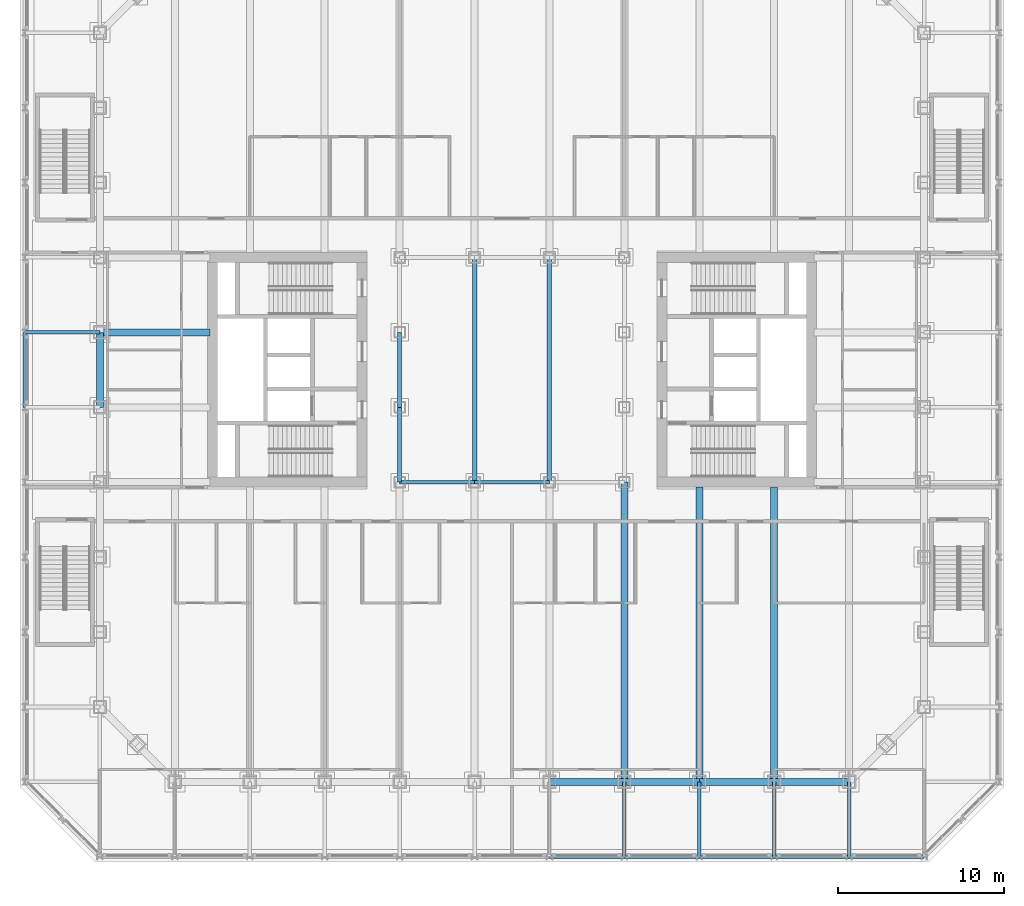
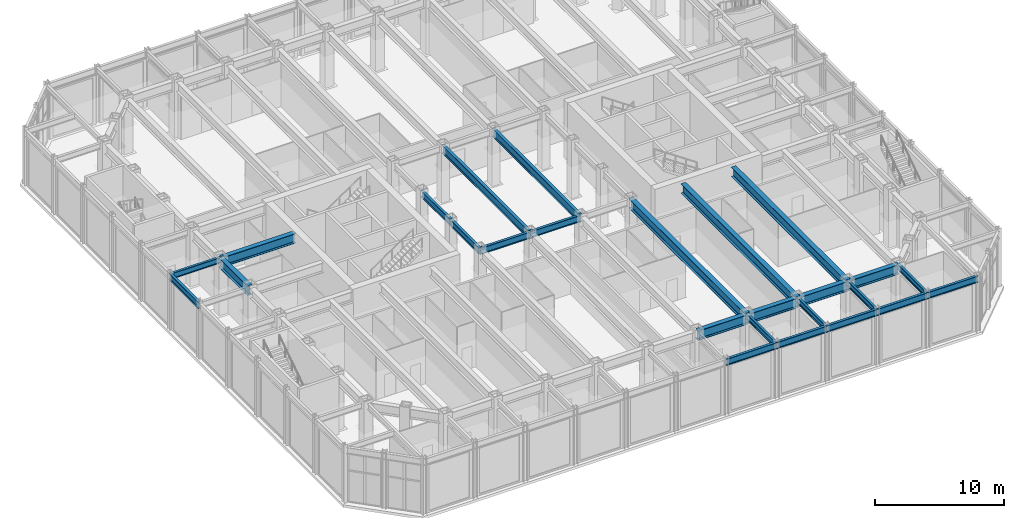
# One storey, part 5 of 19: 26 beams.
"""IFC4 building model written with IfcOpenShell, lengths in metres."""

from ifc_helpers import new_model, si_unit, direction, frame, origin, origin_2d, place, context, subcontext, project, spatial, i_section, extrude, material, material_profile, profile_set, type_object, element, save


model = new_model("IFC4")

# Units and contexts
model_context = context("Model", 3, precision=1e-05, world=origin(), true_north=direction((0.0, 1.0)))
body_context = subcontext(model_context, "Body", "Model", "MODEL_VIEW")
ifc_project = project(units=[si_unit("LENGTHUNIT", "METRE"), si_unit("AREAUNIT", "SQUARE_METRE"), si_unit("VOLUMEUNIT", "CUBIC_METRE"), si_unit("PLANEANGLEUNIT", "RADIAN"), si_unit("MASSUNIT", "GRAM", prefix="KILO")], contexts=[model_context])

# Site, building, storey
site_placement = place(None, origin())
site = spatial("IfcSite", under=ifc_project, at=site_placement, CompositionType="ELEMENT")
building_placement = place(site_placement, origin())
building = spatial("IfcBuilding", under=site, at=building_placement, Name="Msasa Ring Tower", CompositionType="ELEMENT")
storey_placement = place(building_placement, frame((0.0, 0.0, 16.0)))
storey = spatial("IfcBuildingStorey", under=building, at=storey_placement, Name="L03", CompositionType="ELEMENT", Elevation=16.0)

# Beams
ifc_material_1 = material(Name="Steel S355", Category="steel")
ifc_material_profile_1 = material_profile(ifc_material_1, i_section(OverallWidth=0.41845703125, OverallDepth=0.911865234375, WebThickness=0.019287109375, FlangeThickness=0.031982421875, FilletRadius=0.024169921875, at=origin_2d()), Name="UB 914x419x343")
ifc_profile_set_1 = profile_set([ifc_material_profile_1], Name="Steel S355")
beam_type_1 = type_object("IfcBeamType", Name="FB1 UB 914x419x343", PredefinedType="BEAM", material=ifc_profile_set_1)
beam_1_placement = place(storey_placement, frame((6.75, -24.75, 4.794189453125), z_axis=(0.0, 1.0, 0.0), x_axis=(-1.0, 0.0, 0.0)))
element("IfcBeam", 1, at=beam_1_placement, inside=storey, type_object=beam_type_1, Name="Floor beam S+6.75 under L04", PredefinedType="BEAM", context=body_context, shape_type="SweptSolid", body=[
    extrude(i_section(OverallWidth=0.41845703125, OverallDepth=0.911865234375, WebThickness=0.019287109375, FlangeThickness=0.031982421875, FilletRadius=0.024169921875, at=origin_2d()), origin(), (0.0, 0.0, 1.0), 18.0),
])
for number, where, z_axis, x_axis, name in (
    (2, (11.25, -24.75, 4.794189453125), (0.0, 1.0, 0.0), (-1.0, 0.0, 0.0), "Floor beam S+11.25 under L04"),
    (3, (15.75, -24.75, 4.794189453125), (0.0, 1.0, 0.0), (-1.0, 0.0, 0.0), "Floor beam S+15.75 under L04"),
):
    element("IfcBeam", number, at=place(storey_placement, frame(where, z_axis=z_axis, x_axis=x_axis)), inside=storey, type_object=beam_type_1, Name=name, PredefinedType="BEAM", context=body_context, shape_type="SweptSolid", body=[
        extrude(i_section(OverallWidth=0.41845703125, OverallDepth=0.911865234375, WebThickness=0.019287109375, FlangeThickness=0.031982421875, FilletRadius=0.024169921875, at=origin_2d()), origin(), (0.0, 0.0, 1.0), 17.699951171875),
    ])
ifc_material_2 = material(Name="Steel S355", Category="steel")
ifc_material_profile_2 = material_profile(ifc_material_2, i_section(OverallWidth=0.42041015625, OverallDepth=0.9208984375, WebThickness=0.021484375, FlangeThickness=0.03662109375, FilletRadius=0.024169921875, at=origin_2d()), Name="UB 914x419x388")
ifc_profile_set_2 = profile_set([ifc_material_profile_2], Name="Steel S355")
beam_type_2 = type_object("IfcBeamType", Name="FB2 UB 914x419x388", PredefinedType="BEAM", material=ifc_profile_set_2)
beam_2_placement = place(storey_placement, frame((-24.75, 2.25, 4.78955078125), z_axis=(1.0, 0.0, 0.0), x_axis=(0.0, 1.0, 0.0)))
element("IfcBeam", 4, at=beam_2_placement, inside=storey, type_object=beam_type_2, Name="Floor beam W +2.25 under L04", PredefinedType="BEAM", context=body_context, shape_type="SweptSolid", body=[
    extrude(i_section(OverallWidth=0.42041015625, OverallDepth=0.9208984375, WebThickness=0.021484375, FlangeThickness=0.03662109375, FilletRadius=0.024169921875, at=origin_2d()), origin(), (0.0, 0.0, 1.0), 6.60009765625),
])
ifc_material_3 = material(Name="Steel S355", Category="steel")
ifc_material_profile_3 = material_profile(ifc_material_3, i_section(OverallWidth=0.2119140625, OverallDepth=0.54443359375, WebThickness=0.0126953125, FlangeThickness=0.021240234375, FilletRadius=0.0126953125, at=origin_2d()), Name="UB 533x210x122")
ifc_profile_set_3 = profile_set([ifc_material_profile_3], Name="Steel S355")
beam_type_3 = type_object("IfcBeamType", Name="PB1 UB 533x210x122", PredefinedType="BEAM", material=ifc_profile_set_3)
for number, where, z_axis, x_axis, name in (
    (5, (-29.25, 2.25, 4.977783203125), (1.0, 0.0, 0.0), (0.0, 1.0, 0.0), "Podium beam W+2.25 under L04"),
    (6, (6.75, -29.25, 4.977783203125), (0.0, 1.0, 0.0), (-1.0, 0.0, 0.0), "Podium beam S+6.75 under L04"),
    (7, (11.25, -29.25, 4.977783203125), (0.0, 1.0, 0.0), (-1.0, 0.0, 0.0), "Podium beam S+11.25 under L04"),
    (8, (15.75, -29.25, 4.977783203125), (0.0, 1.0, 0.0), (-1.0, 0.0, 0.0), "Podium beam S+15.75 under L04"),
    (9, (20.25, -29.25, 4.977783203125), (0.0, 1.0, 0.0), (-1.0, 0.0, 0.0), "Podium beam S+20.25 under L04"),
):
    element("IfcBeam", number, at=place(storey_placement, frame(where, z_axis=z_axis, x_axis=x_axis)), inside=storey, type_object=beam_type_3, Name=name, PredefinedType="BEAM", context=body_context, shape_type="SweptSolid", body=[
        extrude(i_section(OverallWidth=0.2119140625, OverallDepth=0.54443359375, WebThickness=0.0126953125, FlangeThickness=0.021240234375, FilletRadius=0.0126953125, at=origin_2d()), origin(), (0.0, 0.0, 1.0), 4.5),
    ])
ifc_material_4 = material(Name="Steel S355", Category="steel")
ifc_material_profile_4 = material_profile(ifc_material_4, i_section(OverallWidth=0.230224609375, OverallDepth=0.6171875, WebThickness=0.01318359375, FlangeThickness=0.022216796875, FilletRadius=0.0126953125, at=origin_2d()), Name="UB 610x229x140")
ifc_profile_set_4 = profile_set([ifc_material_profile_4], Name="Steel S355")
beam_type_4 = type_object("IfcBeamType", Name="RB1 UB 610x229x140", PredefinedType="BEAM", material=ifc_profile_set_4)
for number, where, z_axis, x_axis, name in (
    (10, (-6.75, -2.25, 4.94140625), (0.0, -1.0, 0.0), (1.0, 0.0, 0.0), "Inner ring beam IR-6.75-2.25 under L04"),
    (11, (-6.75, -6.75, 4.94140625), (1.0, 0.0, 0.0), (0.0, 1.0, 0.0), "Inner ring beam IR-6.75-6.75 under L04"),
    (12, (-2.25, -6.75, 4.94140625), (1.0, 0.0, 0.0), (0.0, 1.0, 0.0), "Inner ring beam IR-2.25-6.75 under L04"),
    (13, (-6.75, 2.25, 4.94140625), (0.0, -1.0, 0.0), (1.0, 0.0, 0.0), "Inner ring beam IR-6.75+2.25 under L04"),
):
    element("IfcBeam", number, at=place(storey_placement, frame(where, z_axis=z_axis, x_axis=x_axis)), inside=storey, type_object=beam_type_4, Name=name, PredefinedType="BEAM", context=body_context, shape_type="SweptSolid", body=[
        extrude(i_section(OverallWidth=0.230224609375, OverallDepth=0.6171875, WebThickness=0.01318359375, FlangeThickness=0.022216796875, FilletRadius=0.0126953125, at=origin_2d()), origin(), (0.0, 0.0, 1.0), 4.5),
    ])
ifc_material_5 = material(Name="Steel S355", Category="steel")
ifc_material_profile_5 = material_profile(ifc_material_5, i_section(OverallWidth=0.42041015625, OverallDepth=0.9208984375, WebThickness=0.021484375, FlangeThickness=0.03662109375, FilletRadius=0.024169921875, at=origin_2d()), Name="UB 914x419x388")
ifc_profile_set_5 = profile_set([ifc_material_profile_5], Name="Steel S355")
beam_type_5 = type_object("IfcBeamType", Name="SB1 UB 914x419x388", PredefinedType="SPANDREL", material=ifc_profile_set_5)
for number, where, z_axis, x_axis, name in (
    (14, (2.25, -24.75, 4.78955078125), (1.0, 0.0, 0.0), (0.0, 1.0, 0.0), "Spandrel S+2.25 to S+6.75 under L04"),
    (15, (6.75, -24.75, 4.78955078125), (1.0, 0.0, 0.0), (0.0, 1.0, 0.0), "Spandrel S+6.75 to S+11.25 under L04"),
    (16, (11.25, -24.75, 4.78955078125), (1.0, 0.0, 0.0), (0.0, 1.0, 0.0), "Spandrel S+11.25 to S+15.75 under L04"),
    (17, (15.75, -24.75, 4.78955078125), (1.0, 0.0, 0.0), (0.0, 1.0, 0.0), "Spandrel S+15.75 to S+20.25 under L04"),
    (18, (-24.75, 2.25, 4.78955078125), (0.0, -1.0, 0.0), (1.0, 0.0, 0.0), "Spandrel W+2.25 to W-2.25 under L04"),
):
    element("IfcBeam", number, at=place(storey_placement, frame(where, z_axis=z_axis, x_axis=x_axis)), inside=storey, type_object=beam_type_5, Name=name, PredefinedType="SPANDREL", context=body_context, shape_type="SweptSolid", body=[
        extrude(i_section(OverallWidth=0.42041015625, OverallDepth=0.9208984375, WebThickness=0.021484375, FlangeThickness=0.03662109375, FilletRadius=0.024169921875, at=origin_2d()), origin(), (0.0, 0.0, 1.0), 4.5),
    ])
ifc_material_6 = material(Name="Steel S355", Category="steel")
ifc_material_profile_6 = material_profile(ifc_material_6, i_section(OverallWidth=0.230224609375, OverallDepth=0.6171875, WebThickness=0.01318359375, FlangeThickness=0.022216796875, FilletRadius=0.0126953125, at=origin_2d()), Name="UB 610x229x140")
ifc_profile_set_6 = profile_set([ifc_material_profile_6], Name="Steel S355")
beam_type_6 = type_object("IfcBeamType", Name="SB2 UB 610x229x140", PredefinedType="SPANDREL", material=ifc_profile_set_6)
for number, where, z_axis, x_axis, name in (
    (19, (2.25, -29.25, 4.94140625), (1.0, 0.0, 0.0), (0.0, 1.0, 0.0), "Podium spandrel S+2.25 under L04"),
    (20, (6.75, -29.25, 4.94140625), (1.0, 0.0, 0.0), (0.0, 1.0, 0.0), "Podium spandrel S+6.75 under L04"),
    (21, (11.25, -29.25, 4.94140625), (1.0, 0.0, 0.0), (0.0, 1.0, 0.0), "Podium spandrel S+11.25 under L04"),
    (22, (15.75, -29.25, 4.94140625), (1.0, 0.0, 0.0), (0.0, 1.0, 0.0), "Podium spandrel S+15.75 under L04"),
    (23, (20.25, -29.25, 4.94140625), (1.0, 0.0, 0.0), (0.0, 1.0, 0.0), "Podium spandrel S+20.25 under L04"),
    (24, (-29.25, 2.25, 4.94140625), (0.0, -1.0, 0.0), (1.0, 0.0, 0.0), "Podium spandrel W+2.25 under L04"),
):
    element("IfcBeam", number, at=place(storey_placement, frame(where, z_axis=z_axis, x_axis=x_axis)), inside=storey, type_object=beam_type_6, Name=name, PredefinedType="SPANDREL", context=body_context, shape_type="SweptSolid", body=[
        extrude(i_section(OverallWidth=0.230224609375, OverallDepth=0.6171875, WebThickness=0.01318359375, FlangeThickness=0.022216796875, FilletRadius=0.0126953125, at=origin_2d()), origin(), (0.0, 0.0, 1.0), 4.5),
    ])
ifc_material_7 = material(Name="Steel S355", Category="steel")
ifc_material_profile_7 = material_profile(ifc_material_7, i_section(OverallWidth=0.26806640625, OverallDepth=0.769775390625, WebThickness=0.015625, FlangeThickness=0.025390625, FilletRadius=0.0166015625, at=origin_2d()), Name="UB 762x267x197")
ifc_profile_set_7 = profile_set([ifc_material_profile_7], Name="Steel S355")
beam_type_7 = type_object("IfcBeamType", Name="WB1 UB 762x267x197", PredefinedType="BEAM", material=ifc_profile_set_7)
for number, where, z_axis, x_axis, name in (
    (25, (-2.25, -6.75, 4.864990234375), (0.0, 1.0, 0.0), (-1.0, 0.0, 0.0), "Well beam -2.25 under L04"),
    (26, (2.25, -6.75, 4.864990234375), (0.0, 1.0, 0.0), (-1.0, 0.0, 0.0), "Well beam +2.25 under L04"),
):
    element("IfcBeam", number, at=place(storey_placement, frame(where, z_axis=z_axis, x_axis=x_axis)), inside=storey, type_object=beam_type_7, Name=name, PredefinedType="BEAM", context=body_context, shape_type="SweptSolid", body=[
        extrude(i_section(OverallWidth=0.26806640625, OverallDepth=0.769775390625, WebThickness=0.015625, FlangeThickness=0.025390625, FilletRadius=0.0166015625, at=origin_2d()), origin(), (0.0, 0.0, 1.0), 13.5),
    ])

save(model, "model.ifc")
